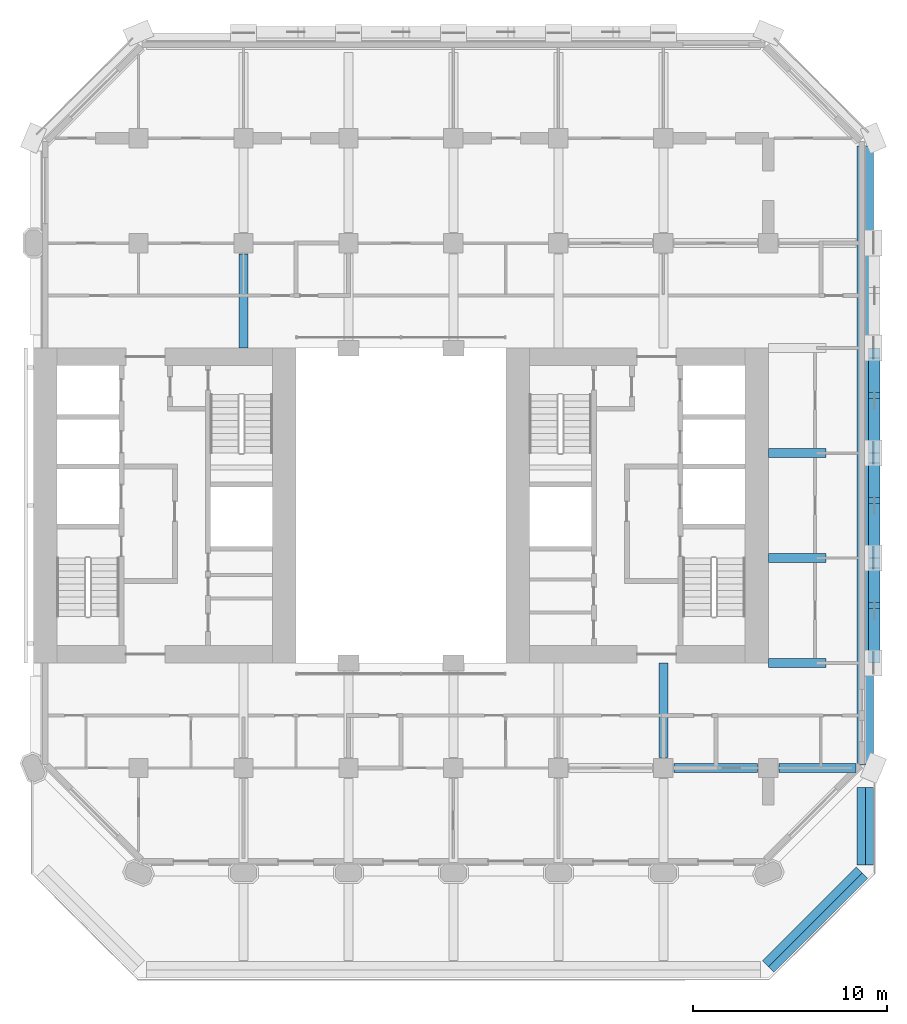
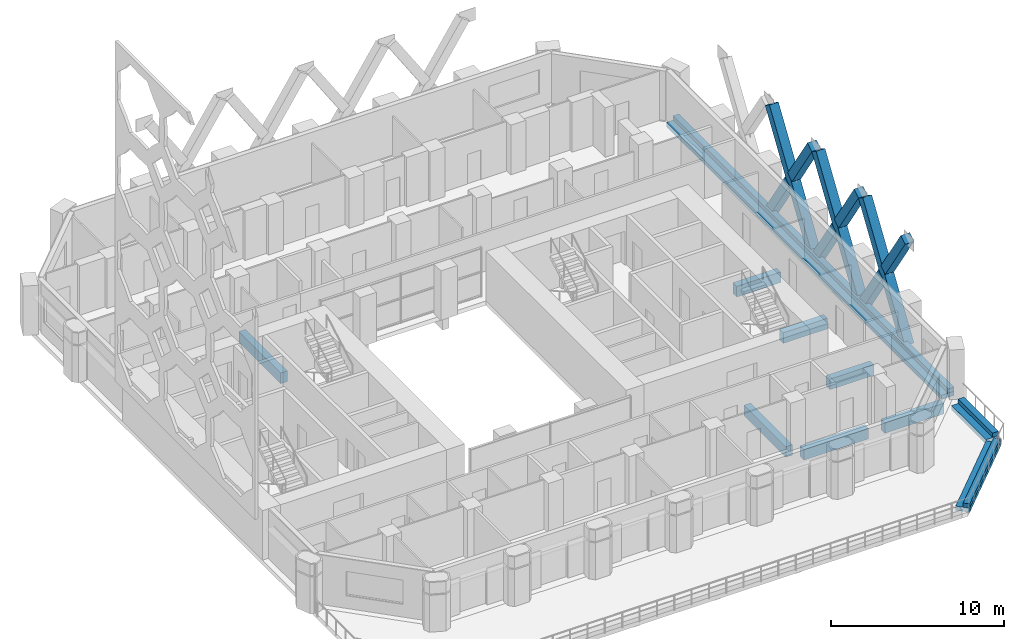
# One storey, part 5 of 16: 13 beams, 9 members.
"""IFC4 building model written with IfcOpenShell, lengths in metres."""

from ifc_helpers import new_model, si_unit, direction, frame, origin, origin_2d, place, context, subcontext, project, spatial, rectangle, extrude, material, material_profile, profile_set, type_object, element, save


model = new_model("IFC4")

# Units and contexts
model_context = context("Model", 3, precision=1e-05, world=origin(), true_north=direction((0.0, 1.0)))
body_context = subcontext(model_context, "Body", "Model", "MODEL_VIEW")
ifc_project = project(units=[si_unit("LENGTHUNIT", "METRE"), si_unit("AREAUNIT", "SQUARE_METRE"), si_unit("VOLUMEUNIT", "CUBIC_METRE"), si_unit("PLANEANGLEUNIT", "RADIAN"), si_unit("MASSUNIT", "GRAM", prefix="KILO")], contexts=[model_context])

# Site, building, storey
site_placement = place(None, origin())
site = spatial("IfcSite", under=ifc_project, at=site_placement, CompositionType="ELEMENT")
building_placement = place(site_placement, origin())
building = spatial("IfcBuilding", under=site, at=building_placement, Name="Tabaq Tower and Sports Hall", CompositionType="ELEMENT")
storey_placement = place(building_placement, frame((0.0, 0.0, 65.0)))
storey = spatial("IfcBuildingStorey", under=building, at=storey_placement, Name="L14", CompositionType="ELEMENT", Elevation=65.0)

# Beams
ifc_material_1 = material(Name="Concrete C40/50", Category="concrete")
ifc_material_profile_1 = material_profile(ifc_material_1, rectangle(XDim=0.449951171875, YDim=0.75, at=origin_2d()), Name="CB 450x750")
ifc_profile_set_1 = profile_set([ifc_material_profile_1], Name="Concrete C40/50")
beam_type_1 = type_object("IfcBeamType", Name="PT CANTILEVER BEAM CB 450x750 C40/50", PredefinedType="BEAM", material=ifc_profile_set_1)
beam_1_placement = place(storey_placement, frame((47.699951171875, 10.800048828125, -0.675048828125), z_axis=(-1.0, 0.0, 0.0), x_axis=(0.0, -1.0, 0.0)))
element("IfcBeam", 1, at=beam_1_placement, inside=storey, type_object=beam_type_1, Name="Cantilever Beam L14 E2 span 1", PredefinedType="BEAM", context=body_context, shape_type="SweptSolid", body=[
    extrude(rectangle(XDim=0.449951171875, YDim=0.75, at=origin_2d()), origin(), (0.0, 0.0, 1.0), 3.949951171875),
])
beam_2_placement = place(storey_placement, frame((42.64990234375, 10.800048828125, -0.675048828125), z_axis=(-1.0, 0.0, 0.0), x_axis=(0.0, -1.0, 0.0)))
element("IfcBeam", 2, at=beam_2_placement, inside=storey, type_object=beam_type_1, Name="Cantilever Beam L14 E2 span 2", PredefinedType="BEAM", context=body_context, shape_type="SweptSolid", body=[
    extrude(rectangle(XDim=0.449951171875, YDim=0.75, at=origin_2d()), origin(), (0.0, 0.0, 1.0), 4.2998046875),
])
for number, where, z_axis, x_axis, name in (
    (3, (46.14990234375, 16.199951171875, -0.675048828125), (-1.0, 0.0, 0.0), (0.0, -1.0, 0.0), "Cantilever Beam L14 E3 span 1"),
    (4, (46.14990234375, 21.60009765625, -0.675048828125), (-1.0, 0.0, 0.0), (0.0, -1.0, 0.0), "Cantilever Beam L14 E4 span 1"),
    (5, (46.14990234375, 27.0, -0.675048828125), (-1.0, 0.0, 0.0), (0.0, -1.0, 0.0), "Cantilever Beam L14 E5 span 1"),
):
    element("IfcBeam", number, at=place(storey_placement, frame(where, z_axis=z_axis, x_axis=x_axis)), inside=storey, type_object=beam_type_1, Name=name, PredefinedType="BEAM", context=body_context, shape_type="SweptSolid", body=[
        extrude(rectangle(XDim=0.449951171875, YDim=0.75, at=origin_2d()), origin(), (0.0, 0.0, 1.0), 2.949951171875),
    ])
beam_3_placement = place(storey_placement, frame((37.800048828125, 11.35009765625, -0.675048828125), z_axis=(0.0, 1.0, 0.0), x_axis=(-1.0, 0.0, 0.0)))
element("IfcBeam", 6, at=beam_3_placement, inside=storey, type_object=beam_type_1, Name="Cantilever Beam L14 S7 span 3", PredefinedType="BEAM", context=body_context, shape_type="SweptSolid", body=[
    extrude(rectangle(XDim=0.449951171875, YDim=0.75, at=origin_2d()), origin(), (0.0, 0.0, 1.0), 4.849853515625),
])
beam_4_placement = place(storey_placement, frame((16.199951171875, 37.25, -0.675048828125), z_axis=(0.0, -1.0, 0.0), x_axis=(1.0, 0.0, 0.0)))
element("IfcBeam", 7, at=beam_4_placement, inside=storey, type_object=beam_type_1, Name="Cantilever Beam L14 N3 span 3", PredefinedType="BEAM", context=body_context, shape_type="SweptSolid", body=[
    extrude(rectangle(XDim=0.449951171875, YDim=0.75, at=origin_2d()), origin(), (0.0, 0.0, 1.0), 4.85009765625),
])
ifc_material_2 = material(Name="Concrete C40/50", Category="concrete")
ifc_material_profile_2 = material_profile(ifc_material_2, rectangle(XDim=0.85009765625, YDim=0.300048828125, at=origin_2d()), Name="EB 850x300")
ifc_profile_set_2 = profile_set([ifc_material_profile_2], Name="Concrete C40/50")
beam_type_2 = type_object("IfcBeamType", Name="PT EDGE BEAM EB 850x300 C40/50", PredefinedType="SPANDREL", material=ifc_profile_set_2)
beam_5_placement = place(storey_placement, frame((48.175048828125, 10.9619140625, -0.14990234375), z_axis=(0.0, 1.0, 0.0), x_axis=(-1.0, 0.0, 0.0)))
element("IfcBeam", 8, at=beam_5_placement, inside=storey, type_object=beam_type_2, Name="Edge Beam L14 1", PredefinedType="SPANDREL", context=body_context, shape_type="SweptSolid", body=[
    extrude(rectangle(XDim=0.85009765625, YDim=0.300048828125, at=origin_2d()), origin(), (0.0, 0.0, 1.0), 31.8359375),
])
beam_6_placement = place(storey_placement, frame((43.183837890625, 0.584716796875, -0.14990234375), z_axis=(0.707088915255, 0.707124646667, 0.0), x_axis=(-0.707124646667, 0.707088915255, 0.0)))
element("IfcBeam", 9, at=beam_6_placement, inside=storey, type_object=beam_type_2, Name="Edge Beam L14 5", PredefinedType="SPANDREL", context=body_context, shape_type="SweptSolid", body=[
    extrude(rectangle(XDim=0.85009765625, YDim=0.300048828125, at=origin_2d()), origin(), (0.0, 0.0, 1.0), 6.832763671875),
])
beam_7_placement = place(storey_placement, frame((48.175048828125, 5.802001953125, -0.14990234375), z_axis=(0.0, 1.0, 0.0), x_axis=(-1.0, 0.0, 0.0)))
element("IfcBeam", 10, at=beam_7_placement, inside=storey, type_object=beam_type_2, Name="Edge Beam L14 6", PredefinedType="SPANDREL", context=body_context, shape_type="SweptSolid", body=[
    extrude(rectangle(XDim=0.85009765625, YDim=0.300048828125, at=origin_2d()), origin(), (0.0, 0.0, 1.0), 3.986083984375),
])
ifc_material_3 = material(Name="Concrete C40/50", Category="concrete")
ifc_material_profile_3 = material_profile(ifc_material_3, rectangle(XDim=0.39990234375, YDim=0.300048828125, at=origin_2d()), Name="EU 400x300")
ifc_profile_set_3 = profile_set([ifc_material_profile_3], Name="Concrete C40/50")
beam_type_3 = type_object("IfcBeamType", Name="PT EDGE UPSTAND EU 400x300 C40/50", PredefinedType="BEAM", material=ifc_profile_set_3)
beam_8_placement = place(storey_placement, frame((48.39990234375, 10.9619140625, 0.14990234375), z_axis=(0.0, 1.0, 0.0), x_axis=(-1.0, 0.0, 0.0)))
element("IfcBeam", 11, at=beam_8_placement, inside=storey, type_object=beam_type_3, Name="Edge Upstand L14 1", PredefinedType="BEAM", context=body_context, shape_type="SweptSolid", body=[
    extrude(rectangle(XDim=0.39990234375, YDim=0.300048828125, at=origin_2d()), origin(), (0.0, 0.0, 1.0), 31.8359375),
])
beam_9_placement = place(storey_placement, frame((43.3427734375, 0.42578125, 0.14990234375), z_axis=(0.707124646667, 0.707088915255, 0.0), x_axis=(-0.707088915255, 0.707124646667, 0.0)))
element("IfcBeam", 12, at=beam_9_placement, inside=storey, type_object=beam_type_3, Name="Edge Upstand L14 5", PredefinedType="BEAM", context=body_context, shape_type="SweptSolid", body=[
    extrude(rectangle(XDim=0.39990234375, YDim=0.300048828125, at=origin_2d()), origin(), (0.0, 0.0, 1.0), 6.832763671875),
])
beam_10_placement = place(storey_placement, frame((48.39990234375, 5.802001953125, 0.14990234375), z_axis=(0.0, 1.0, 0.0), x_axis=(-1.0, 0.0, 0.0)))
element("IfcBeam", 13, at=beam_10_placement, inside=storey, type_object=beam_type_3, Name="Edge Upstand L14 6", PredefinedType="BEAM", context=body_context, shape_type="SweptSolid", body=[
    extrude(rectangle(XDim=0.39990234375, YDim=0.300048828125, at=origin_2d()), origin(), (0.0, 0.0, 1.0), 3.986083984375),
])

# Members
ifc_material_4 = material(Name="Concrete C60/75", Category="concrete")
ifc_material_profile_4 = material_profile(ifc_material_4, rectangle(XDim=0.60009765625, YDim=0.60009765625, at=origin_2d()), Name="TRANSFER BAND BRACE 600x600")
ifc_profile_set_4 = profile_set([ifc_material_profile_4], Name="Concrete C60/75")
member_type = type_object("IfcMemberType", Name="RC TRANSFER BAND BRACE 600x600 C60/75", PredefinedType="BRACE", material=ifc_profile_set_4)
member_1_placement = place(storey_placement, frame((48.64990234375, 16.449951171875, -0.050048828125), z_axis=(0.0, 0.546960043342, 0.837158713141), x_axis=(-1.0, 0.0, 0.0)))
element("IfcMember", 14, at=member_1_placement, inside=storey, type_object=member_type, Name="Transfer Band Brace L14 East 1", PredefinedType="BRACE", context=body_context, shape_type="SweptSolid", body=[
    extrude(rectangle(XDim=0.60009765625, YDim=0.60009765625, at=origin_2d()), origin(), (0.0, 0.0, 1.0), 8.958984375),
])
for number, where, z_axis, x_axis, name in (
    (15, (48.64990234375, 21.35009765625, -0.050048828125), (0.0, -0.546980074693, 0.837145625258), (1.0, 0.0, 0.0), "Transfer Band Brace L14 East 2"),
    (16, (48.64990234375, 18.748291015625, 3.932373046875), (0.0, -0.546980074693, 0.837145625258), (1.0, 0.0, 0.0), "Transfer Band Brace L14 East 3"),
):
    element("IfcMember", number, at=place(storey_placement, frame(where, z_axis=z_axis, x_axis=x_axis)), inside=storey, type_object=member_type, Name=name, PredefinedType="BRACE", context=body_context, shape_type="SweptSolid", body=[
        extrude(rectangle(XDim=0.60009765625, YDim=0.60009765625, at=origin_2d()), origin(), (0.0, 0.0, 1.0), 4.201904296875),
    ])
member_2_placement = place(storey_placement, frame((48.64990234375, 21.85009765625, -0.050048828125), z_axis=(0.0, 0.546940944285, 0.837171191253), x_axis=(-1.0, 0.0, 0.0)))
element("IfcMember", 17, at=member_2_placement, inside=storey, type_object=member_type, Name="Transfer Band Brace L14 East 4", PredefinedType="BRACE", context=body_context, shape_type="SweptSolid", body=[
    extrude(rectangle(XDim=0.60009765625, YDim=0.60009765625, at=origin_2d()), origin(), (0.0, 0.0, 1.0), 8.958740234375),
])
for number, where, z_axis, x_axis, name in (
    (18, (48.64990234375, 26.75, -0.050048828125), (0.0, -0.546939353543, 0.837172230516), (1.0, 0.0, 0.0), "Transfer Band Brace L14 East 5"),
    (19, (48.64990234375, 24.148193359375, 3.932373046875), (0.0, -0.546939353543, 0.837172230516), (1.0, 0.0, 0.0), "Transfer Band Brace L14 East 6"),
):
    element("IfcMember", number, at=place(storey_placement, frame(where, z_axis=z_axis, x_axis=x_axis)), inside=storey, type_object=member_type, Name=name, PredefinedType="BRACE", context=body_context, shape_type="SweptSolid", body=[
        extrude(rectangle(XDim=0.60009765625, YDim=0.60009765625, at=origin_2d()), origin(), (0.0, 0.0, 1.0), 4.20166015625),
    ])
member_3_placement = place(storey_placement, frame((48.64990234375, 27.25, -0.050048828125), z_axis=(0.0, 0.546940944285, 0.837171191253), x_axis=(-1.0, 0.0, 0.0)))
element("IfcMember", 20, at=member_3_placement, inside=storey, type_object=member_type, Name="Transfer Band Brace L14 East 7", PredefinedType="BRACE", context=body_context, shape_type="SweptSolid", body=[
    extrude(rectangle(XDim=0.60009765625, YDim=0.60009765625, at=origin_2d()), origin(), (0.0, 0.0, 1.0), 8.958740234375),
])
for number, where, z_axis, x_axis, name in (
    (21, (48.64990234375, 32.14990234375, -0.050048828125), (0.0, -0.546939353543, 0.837172230516), (1.0, 0.0, 0.0), "Transfer Band Brace L14 East 8"),
    (22, (48.64990234375, 29.548095703125, 3.932373046875), (0.0, -0.546939353543, 0.837172230516), (1.0, 0.0, 0.0), "Transfer Band Brace L14 East 9"),
):
    element("IfcMember", number, at=place(storey_placement, frame(where, z_axis=z_axis, x_axis=x_axis)), inside=storey, type_object=member_type, Name=name, PredefinedType="BRACE", context=body_context, shape_type="SweptSolid", body=[
        extrude(rectangle(XDim=0.60009765625, YDim=0.60009765625, at=origin_2d()), origin(), (0.0, 0.0, 1.0), 4.20166015625),
    ])

save(model, "model.ifc")
